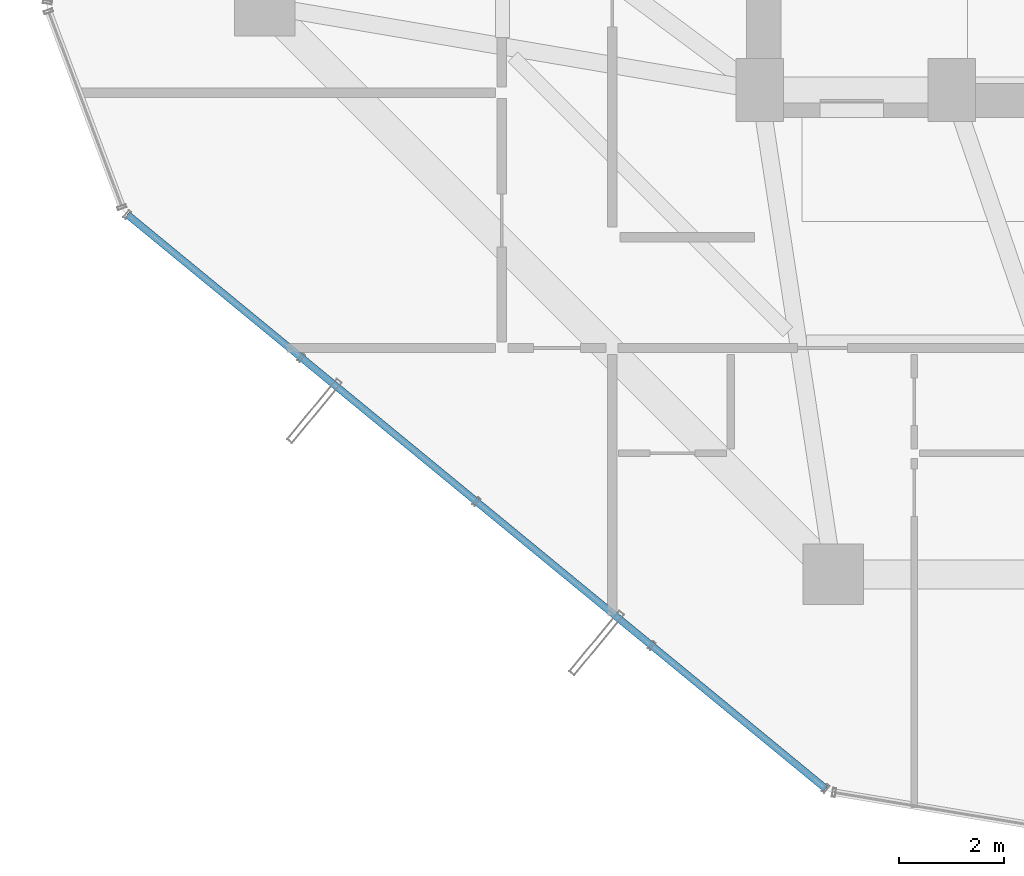
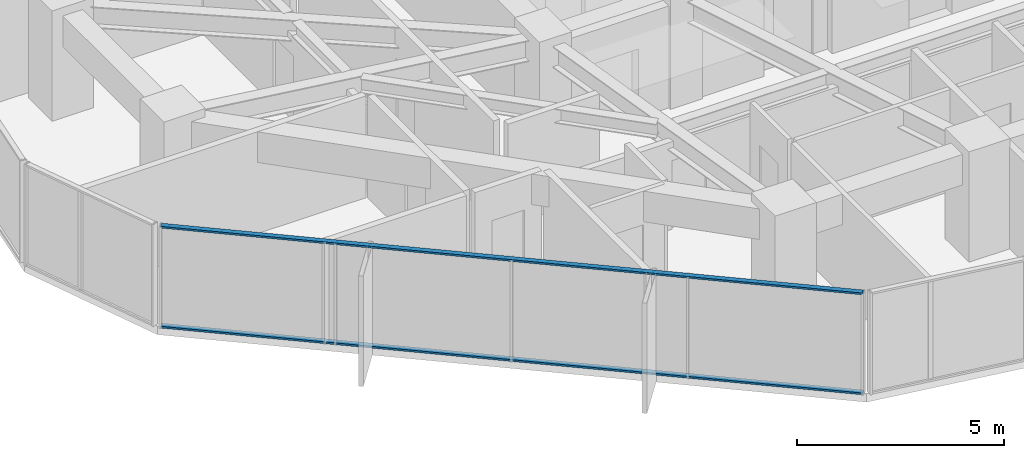
# One storey, part 3 of 30: 2 members, 1 element without a shape of its own.
"""IFC4 building model written with IfcOpenShell, lengths in metres."""

import ifcopenshell
import ifcopenshell.guid

model = None  # the IFC model being written
_history = None  # IfcOwnerHistory: only IFC2X3 demands one
_inside = {}  # id of a spatial element -> (the spatial element, [elements in it])
_under = {}  # id of a project, library or spatial element -> (it, [spatial elements below it])
_declared = {}  # id of a project -> (the project, [libraries it declares])
_typed = {}  # id of a type object -> (the type object, [elements of that type])
_made_of = {}  # id of a material, layer set ... -> (it, [elements and type objects made of it])


def new_model(schema):
    """Start an empty IFC model of exactly this schema.

    Asked for "IFC4X3", IfcOpenShell would pick the latest addendum, in which some entities
    have other attributes; the version numbers below select the first issue.
    IFC2X3 requires an IfcOwnerHistory on every rooted entity: one is made here for all.
    """
    global model, _history
    if schema == "IFC4X3":
        model = ifcopenshell.file(schema_version=(4, 3, 0, 0))
    else:
        model = ifcopenshell.file(schema=schema)
    _inside.clear()
    _under.clear()
    _declared.clear()
    _typed.clear()
    _made_of.clear()
    _history = None
    if model.schema == "IFC2X3":
        org = make("IfcOrganization", Name="unknown")
        user = make(
            "IfcPersonAndOrganization",
            ThePerson=make("IfcPerson", FamilyName="unknown"),
            TheOrganization=org,
        )
        app = make(
            "IfcApplication",
            ApplicationDeveloper=org,
            Version="unknown",
            ApplicationFullName="unknown",
            ApplicationIdentifier="unknown",
        )
        _history = make(
            "IfcOwnerHistory",
            OwningUser=user,
            OwningApplication=app,
            ChangeAction="ADDED",
            CreationDate=0,
        )
    return model


def make(cls, **values):
    """One entity of the class cls with the attributes given. An attribute that is None is left unset."""
    return model.create_entity(
        cls, **{name: value for name, value in values.items() if value is not None}
    )


def rooted(cls, **values):
    """An entity with a GlobalId (a new one), such as an element, a storey or a relation."""
    return make(cls, GlobalId=ifcopenshell.guid.new(), OwnerHistory=_history, **values)


def si_unit(unit_type, name, prefix=None):
    """IfcSIUnit, for example si_unit("LENGTHUNIT", "METRE", prefix="MILLI")."""
    return make("IfcSIUnit", UnitType=unit_type, Prefix=prefix, Name=name)


def assignment(units):
    """IfcUnitAssignment: the units of a project."""
    return None if units is None else make("IfcUnitAssignment", Units=units)


def point(xyz):
    """IfcCartesianPoint."""
    return None if xyz is None else make("IfcCartesianPoint", Coordinates=xyz)


def direction(xyz):
    """IfcDirection."""
    return None if xyz is None else make("IfcDirection", DirectionRatios=xyz)


def frame(location, z_axis=None, x_axis=None):
    """IfcAxis2Placement3D, a coordinate frame: its origin and axes. An axis left out is left unset."""
    return make(
        "IfcAxis2Placement3D",
        Location=point(location),
        Axis=direction(z_axis),
        RefDirection=direction(x_axis),
    )


def frame_2d(location, x_axis=None):
    """IfcAxis2Placement2D, a coordinate frame in the plane: its origin and x axis."""
    return make(
        "IfcAxis2Placement2D", Location=point(location), RefDirection=direction(x_axis)
    )


def origin():
    """The frame at (0, 0, 0) with its axes left unset."""
    return frame((0.0, 0.0, 0.0))


def origin_2d():
    """The frame at (0, 0) in the plane with its x axis left unset."""
    return frame_2d((0.0, 0.0))


def place(relative_to, where):
    """IfcLocalPlacement: puts the frame where relative to a parent placement (None: the world)."""
    return make(
        "IfcLocalPlacement", PlacementRelTo=relative_to, RelativePlacement=where
    )


def context(
    kind, dimensions, precision=None, world=None, true_north=None, identifier=None
):
    """IfcGeometricRepresentationContext, for example the 3D "Model" context."""
    return make(
        "IfcGeometricRepresentationContext",
        ContextIdentifier=identifier,
        ContextType=kind,
        CoordinateSpaceDimension=dimensions,
        Precision=precision,
        WorldCoordinateSystem=world,
        TrueNorth=true_north,
    )


def subcontext(parent, identifier, kind, view, scale=None):
    """IfcGeometricRepresentationSubContext, for example "Body" below "Model"."""
    return make(
        "IfcGeometricRepresentationSubContext",
        ContextIdentifier=identifier,
        ContextType=kind,
        ParentContext=parent,
        TargetScale=scale,
        TargetView=view,
    )


def project(units=None, contexts=None):
    """IfcProject with its units and contexts."""
    return rooted(
        "IfcProject",
        Name="project",
        RepresentationContexts=contexts,
        UnitsInContext=assignment(units),
    )


def spatial(cls, under=None, at=None, **own):
    """A site, building, storey or space (cls), placed at a placement, below another one or the project."""
    s = rooted(cls, ObjectPlacement=at, **own)
    if under is not None:
        _under.setdefault(under.id(), (under, []))[1].append(s)
    return s


def profile(cls, at=None, kind="AREA", **sizes):
    """A parametric profile (cls). Its sizes go by their IFC names, for example OverallWidth=200.0."""
    return make(cls, ProfileType=kind, Position=at, **sizes)


def hollow_rectangle(**sizes):
    """IfcRectangleHollowProfileDef."""
    return profile("IfcRectangleHollowProfileDef", **sizes)


def extrude(swept, where, along, depth):
    """IfcExtrudedAreaSolid: the profile swept, set in the frame where, extruded along a direction by depth."""
    return make(
        "IfcExtrudedAreaSolid",
        SweptArea=swept,
        Position=where,
        ExtrudedDirection=direction(along),
        Depth=depth,
    )


def shape(context_of_items, identifier, shape_type, items):
    """IfcShapeRepresentation: the items that make up one representation, for example the "Body"."""
    return make(
        "IfcShapeRepresentation",
        ContextOfItems=context_of_items,
        RepresentationIdentifier=identifier,
        RepresentationType=shape_type,
        Items=items,
    )


def source(mapping_origin, context_of_items, identifier, shape_type, items):
    """IfcRepresentationMap: a shape defined once, which mapped items show again and again."""
    return make(
        "IfcRepresentationMap",
        MappingOrigin=mapping_origin,
        MappedRepresentation=shape(context_of_items, identifier, shape_type, items),
    )


def transform(
    local_origin,
    x_axis=None,
    y_axis=None,
    z_axis=None,
    scale=None,
    scale2=None,
    scale3=None,
    uniform=True,
):
    """IfcCartesianTransformationOperator3D, or its non-uniform kind. x_axis, y_axis, z_axis: its Axis1, 2, 3."""
    if uniform:
        return make(
            "IfcCartesianTransformationOperator3D",
            Axis1=direction(x_axis),
            Axis2=direction(y_axis),
            LocalOrigin=point(local_origin),
            Scale=scale,
            Axis3=direction(z_axis),
        )
    return make(
        "IfcCartesianTransformationOperator3DnonUniform",
        Axis1=direction(x_axis),
        Axis2=direction(y_axis),
        LocalOrigin=point(local_origin),
        Scale=scale,
        Axis3=direction(z_axis),
        Scale2=scale2,
        Scale3=scale3,
    )


def mapped(mapping_source, mapping_target):
    """IfcMappedItem: shows the shape of a source again, moved by a transform."""
    return make(
        "IfcMappedItem", MappingSource=mapping_source, MappingTarget=mapping_target
    )


def material(Name=None, Category=None):
    """IfcMaterial."""
    return make("IfcMaterial", Name=Name, Category=Category)


def layer(
    of_material, thickness, ventilated=None, Name=None, Category=None, Priority=None
):
    """IfcMaterialLayer: one layer of a wall or slab, of a material (None: an air gap)."""
    return make(
        "IfcMaterialLayer",
        Material=of_material,
        LayerThickness=thickness,
        IsVentilated=ventilated,
        Name=Name,
        Category=Category,
        Priority=Priority,
    )


def layer_set(layers, Name=None):
    """IfcMaterialLayerSet."""
    return make("IfcMaterialLayerSet", MaterialLayers=layers, LayerSetName=Name)


def material_profile(
    of_material, cross_section, Name=None, Category=None, Priority=None
):
    """IfcMaterialProfile: a cross section and its material."""
    return make(
        "IfcMaterialProfile",
        Name=Name,
        Material=of_material,
        Profile=cross_section,
        Priority=Priority,
        Category=Category,
    )


def profile_set(profiles, Name=None, composite=None):
    """IfcMaterialProfileSet."""
    return make(
        "IfcMaterialProfileSet",
        Name=Name,
        MaterialProfiles=profiles,
        CompositeProfile=composite,
    )


def made_of(thing, what):
    """Note that an element or type object is made of a material, layer set ...; save() writes the relation."""
    if what is not None:
        _made_of.setdefault(what.id(), (what, []))[1].append(thing)
    return thing


def type_object(cls, material=None, **own):
    """A type object (cls), such as IfcWallType, which elements share."""
    return made_of(rooted(cls, **own), material)


def element(
    cls,
    number,
    at=None,
    inside=None,
    cuts=None,
    type_object=None,
    material=None,
    context=None,
    identifier="Body",
    shape_type=None,
    held_by="IfcProductDefinitionShape",
    body=None,
    shapes=None,
    **own,
):
    """One element of the class cls, such as IfcWall. Its Tag is "e" and its number.

    at: its placement. inside: the storey or other place that contains it. cuts: it is an
    opening in that element (IfcRelVoidsElement). A single representation is given by context,
    identifier, shape_type and body (its items); several are given by shapes. held_by: the class
    of the entity that holds the representations. save() writes the other relations.
    """
    e = rooted(cls, Tag="e%d" % number, ObjectPlacement=at, **own)
    if body is not None:
        shapes = [shape(context, identifier, shape_type, body)]
    if shapes is not None:
        e.Representation = make(held_by, Representations=shapes)
    if inside is not None:
        _inside.setdefault(inside.id(), (inside, []))[1].append(e)
    if cuts is not None:
        rooted(
            "IfcRelVoidsElement", RelatingBuildingElement=cuts, RelatedOpeningElement=e
        )
    if type_object is not None:
        _typed.setdefault(type_object.id(), (type_object, []))[1].append(e)
    return made_of(e, material)


def aggregate(whole, parts):
    """IfcRelAggregates: a whole, such as a stair, and the parts it consists of."""
    return rooted("IfcRelAggregates", RelatingObject=whole, RelatedObjects=parts)


def save(model, path):
    """Write the relations noted so far, then the file.

    IfcRelAggregates (storeys below a building ...), IfcRelContainedInSpatialStructure (elements
    in a storey), IfcRelDefinesByType, IfcRelAssociatesMaterial and IfcRelDeclares: one each for
    every whole, place, type object, material and project.
    """
    for whole, parts in _under.values():
        aggregate(whole, parts)
    for where, things in _inside.values():
        rooted(
            "IfcRelContainedInSpatialStructure",
            RelatedElements=things,
            RelatingStructure=where,
        )
    for kind, things in _typed.values():
        rooted("IfcRelDefinesByType", RelatedObjects=things, RelatingType=kind)
    for what, things in _made_of.values():
        rooted("IfcRelAssociatesMaterial", RelatedObjects=things, RelatingMaterial=what)
    for by, libraries in _declared.values():
        rooted("IfcRelDeclares", RelatingContext=by, RelatedDefinitions=libraries)
    model.write(path)


model = new_model("IFC4")

# Units and contexts
model_context = context("Model", 3, precision=1e-05, world=origin(), true_north=direction((0.0, 1.0)))
body_context = subcontext(model_context, "Body", "Model", "MODEL_VIEW")
ifc_project = project(units=[si_unit("LENGTHUNIT", "METRE"), si_unit("AREAUNIT", "SQUARE_METRE"), si_unit("VOLUMEUNIT", "CUBIC_METRE"), si_unit("PLANEANGLEUNIT", "RADIAN"), si_unit("MASSUNIT", "GRAM", prefix="KILO")], contexts=[model_context])

# Site, building, storey
site_placement = place(None, origin())
site = spatial("IfcSite", under=ifc_project, at=site_placement, CompositionType="ELEMENT")
building_placement = place(site_placement, origin())
building = spatial("IfcBuilding", under=site, at=building_placement, Name="Veraguas Prism Commons", CompositionType="ELEMENT")
storey_placement = place(building_placement, frame((0.0, 0.0, 95.949951171875)))
storey = spatial("IfcBuildingStorey", under=building, at=storey_placement, Name="L26", CompositionType="ELEMENT", Elevation=95.949951171875)

# Curtain wall, members
ifc_material = material(Name="Anodised aluminium EN AW-6063 T6", Category="aluminium")
ifc_layer = layer(ifc_material, 0.169921875, Name="Unitised Flush Curtain Wall Zone 2", Category="aluminium")
ifc_layer_set = layer_set([ifc_layer], Name="Anodised aluminium EN AW-6063 T6")
curtain_wall_type = type_object("IfcCurtainWallType", Name="Unitised Flush Curtain Wall Zone 2", PredefinedType="NOTDEFINED", material=ifc_layer_set)
curtain_wall_placement = place(storey_placement, origin())
curtain_wall = element("IfcCurtainWall", 1, at=curtain_wall_placement, inside=storey, type_object=curtain_wall_type, Name="Tower Facade Curtain Wall L26-F4", PredefinedType="NOTDEFINED")
ifc_material_profile = material_profile(ifc_material, hollow_rectangle(XDim=0.054931640625, YDim=0.135009765625, WallThickness=0.0029296875, at=origin_2d()), Name="AL55X135X3")
ifc_profile_set = profile_set([ifc_material_profile], Name="Anodised aluminium EN AW-6063 T6")
member_type = type_object("IfcMemberType", Name="Curtain Wall Transom Standard AL 55x135x3", PredefinedType="USERDEFINED", material=ifc_profile_set)
shared_shape = source(origin(), body_context, "Body", "SweptSolid", [
    extrude(hollow_rectangle(XDim=0.054931640625, YDim=0.135009765625, WallThickness=0.0029296875, at=origin_2d()), origin(), (0.0, 0.0, 1.0), 17.174072265625),
])
member_1_placement = place(storey_placement, frame((5.185546875, 14.634033203125, 0.027587890625), z_axis=(0.77251629183, -0.634994943962, 0.0), x_axis=(0.0, 0.0, 1.0)))
member_1 = element("IfcMember", 2, at=member_1_placement, type_object=member_type, Name="CW-Z2 Transom 1", ObjectType="TRANSOM", PredefinedType="USERDEFINED", context=body_context, shape_type="MappedRepresentation", body=[
    mapped(shared_shape, transform((0.0, 0.0, 0.0), scale=1.0)),
])
member_2_placement = place(storey_placement, frame((5.185546875, 14.634033203125, 2.97265625), z_axis=(0.77251629183, -0.634994943962, 0.0), x_axis=(0.0, 0.0, 1.0)))
member_2 = element("IfcMember", 3, at=member_2_placement, type_object=member_type, Name="CW-Z2 Transom 2", ObjectType="TRANSOM", PredefinedType="USERDEFINED", context=body_context, shape_type="MappedRepresentation", body=[
    mapped(shared_shape, transform((0.0, 0.0, 0.0), scale=1.0)),
])
aggregate(curtain_wall, [member_1, member_2])

save(model, "model.ifc")
